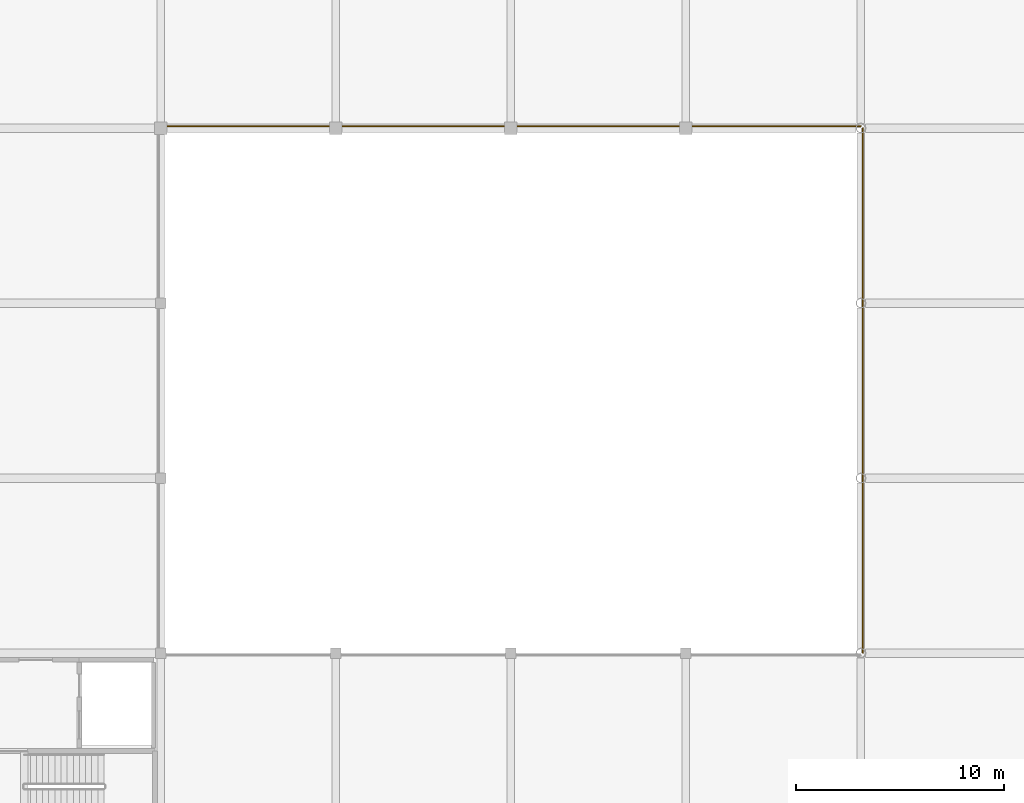
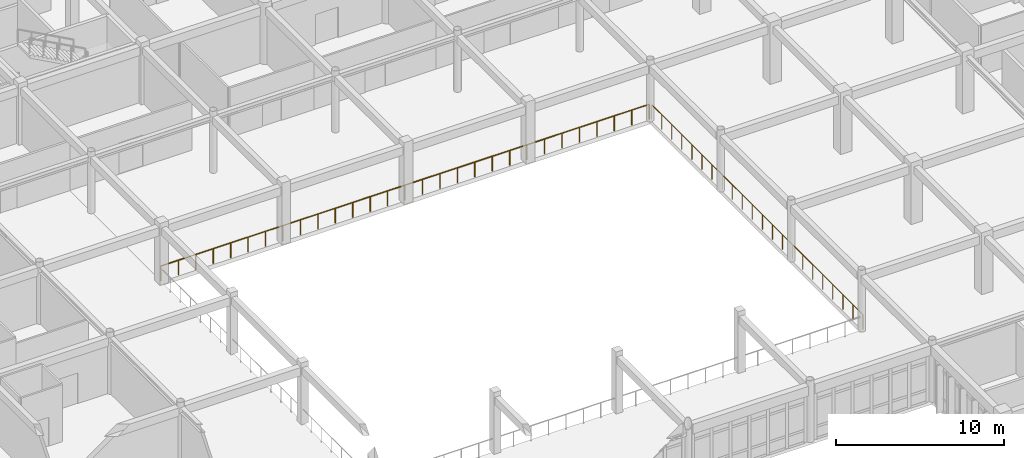
# One storey, part 129 of 144: 2 railings.
"""IFC4 building model written with IfcOpenShell, lengths in metres."""

from ifc_helpers import new_model, si_unit, direction, frame, origin, origin_2d, place, context, subcontext, project, spatial, circle, extrude, material, type_object, element, save


model = new_model("IFC4")

# Units and contexts
model_context = context("Model", 3, precision=1e-05, world=origin(), true_north=direction((0.0, 1.0)))
body_context = subcontext(model_context, "Body", "Model", "MODEL_VIEW")
ifc_project = project(units=[si_unit("LENGTHUNIT", "METRE"), si_unit("AREAUNIT", "SQUARE_METRE"), si_unit("VOLUMEUNIT", "CUBIC_METRE"), si_unit("PLANEANGLEUNIT", "RADIAN"), si_unit("MASSUNIT", "GRAM", prefix="KILO")], contexts=[model_context])

# Site, building, storey
site_placement = place(None, origin())
site = spatial("IfcSite", under=ifc_project, at=site_placement, CompositionType="ELEMENT")
building_placement = place(site_placement, origin())
building = spatial("IfcBuilding", under=site, at=building_placement, Name="Bramfleet General Hospital", CompositionType="ELEMENT")
storey_placement = place(building_placement, frame((0.0, 0.0, 4.800048828125)))
storey = spatial("IfcBuildingStorey", under=building, at=storey_placement, Name="L01", CompositionType="ELEMENT", Elevation=4.800048828125)

# Railings
ifc_material = material(Name="Stainless steel 1.4401 safety balustrade", Category="steel")
railing_type = type_object("IfcRailingType", Name="RAIL-EXT-GUARD", PredefinedType="GUARDRAIL", material=ifc_material)
railing_1_placement = place(storey_placement, frame((92.5, 25.2099609375, 0.0)))
element("IfcRailing", 1, at=railing_1_placement, inside=storey, type_object=railing_type, Name="L01 Safety Guard Rail 74", PredefinedType="GUARDRAIL", context=body_context, shape_type="SweptSolid", body=[
    extrude(circle(Radius=0.02392578125, at=origin_2d()), frame((0.0, 0.0, 1.076171875), z_axis=(0.0, 1.0, 0.0), x_axis=(-1.0, 0.0, 0.0)), (0.0, 0.0, 1.0), 25.179931640625),
    extrude(circle(Radius=0.02099609375, at=origin_2d()), origin(), (0.0, 0.0, 1.0), 1.052001953125),
    extrude(circle(Radius=0.02099609375, at=origin_2d()), frame((0.0, 1.198974609375, 0.0)), (0.0, 0.0, 1.0), 1.052001953125),
    extrude(circle(Radius=0.02099609375, at=origin_2d()), frame((0.0, 2.398193359375, 0.0)), (0.0, 0.0, 1.0), 1.052001953125),
    extrude(circle(Radius=0.02099609375, at=origin_2d()), frame((0.0, 3.59716796875, 0.0)), (0.0, 0.0, 1.0), 1.052001953125),
    extrude(circle(Radius=0.02099609375, at=origin_2d()), frame((0.0, 4.796142578125, 0.0)), (0.0, 0.0, 1.0), 1.052001953125),
    extrude(circle(Radius=0.02099609375, at=origin_2d()), frame((0.0, 5.9951171875, 0.0)), (0.0, 0.0, 1.0), 1.052001953125),
    extrude(circle(Radius=0.02099609375, at=origin_2d()), frame((0.0, 7.1943359375, 0.0)), (0.0, 0.0, 1.0), 1.052001953125),
    extrude(circle(Radius=0.02099609375, at=origin_2d()), frame((0.0, 8.393310546875, 0.0)), (0.0, 0.0, 1.0), 1.052001953125),
    extrude(circle(Radius=0.02099609375, at=origin_2d()), frame((0.0, 9.59228515625, 0.0)), (0.0, 0.0, 1.0), 1.052001953125),
    extrude(circle(Radius=0.02099609375, at=origin_2d()), frame((0.0, 10.79150390625, 0.0)), (0.0, 0.0, 1.0), 1.052001953125),
    extrude(circle(Radius=0.02099609375, at=origin_2d()), frame((0.0, 11.990478515625, 0.0)), (0.0, 0.0, 1.0), 1.052001953125),
    extrude(circle(Radius=0.02099609375, at=origin_2d()), frame((0.0, 13.189453125, 0.0)), (0.0, 0.0, 1.0), 1.052001953125),
    extrude(circle(Radius=0.02099609375, at=origin_2d()), frame((0.0, 14.388427734375, 0.0)), (0.0, 0.0, 1.0), 1.052001953125),
    extrude(circle(Radius=0.02099609375, at=origin_2d()), frame((0.0, 15.587646484375, 0.0)), (0.0, 0.0, 1.0), 1.052001953125),
    extrude(circle(Radius=0.02099609375, at=origin_2d()), frame((0.0, 16.78662109375, 0.0)), (0.0, 0.0, 1.0), 1.052001953125),
    extrude(circle(Radius=0.02099609375, at=origin_2d()), frame((0.0, 17.985595703125, 0.0)), (0.0, 0.0, 1.0), 1.052001953125),
    extrude(circle(Radius=0.02099609375, at=origin_2d()), frame((0.0, 19.184814453125, 0.0)), (0.0, 0.0, 1.0), 1.052001953125),
    extrude(circle(Radius=0.02099609375, at=origin_2d()), frame((0.0, 20.3837890625, 0.0)), (0.0, 0.0, 1.0), 1.052001953125),
    extrude(circle(Radius=0.02099609375, at=origin_2d()), frame((0.0, 21.582763671875, 0.0)), (0.0, 0.0, 1.0), 1.052001953125),
    extrude(circle(Radius=0.02099609375, at=origin_2d()), frame((0.0, 22.78173828125, 0.0)), (0.0, 0.0, 1.0), 1.052001953125),
    extrude(circle(Radius=0.02099609375, at=origin_2d()), frame((0.0, 23.98095703125, 0.0)), (0.0, 0.0, 1.0), 1.052001953125),
    extrude(circle(Radius=0.02099609375, at=origin_2d()), frame((0.0, 25.179931640625, 0.0)), (0.0, 0.0, 1.0), 1.052001953125),
])
railing_2_placement = place(storey_placement, frame((92.389892578125, 50.5, 0.0)))
element("IfcRailing", 2, at=railing_2_placement, inside=storey, type_object=railing_type, Name="L01 Safety Guard Rail 75", PredefinedType="GUARDRAIL", context=body_context, shape_type="SweptSolid", body=[
    extrude(circle(Radius=0.02392578125, at=origin_2d()), frame((0.0, 0.0, 1.076171875), z_axis=(-1.0, 0.0, 0.0), x_axis=(0.0, -1.0, 0.0)), (0.0, 0.0, 1.0), 33.579833984375),
    extrude(circle(Radius=0.02099609375, at=origin_2d()), origin(), (0.0, 0.0, 1.0), 1.052001953125),
    extrude(circle(Radius=0.02099609375, at=origin_2d()), frame((-1.19921875, 0.0, 0.0)), (0.0, 0.0, 1.0), 1.052001953125),
    extrude(circle(Radius=0.02099609375, at=origin_2d()), frame((-2.3984375, 0.0, 0.0)), (0.0, 0.0, 1.0), 1.052001953125),
    extrude(circle(Radius=0.02099609375, at=origin_2d()), frame((-3.597900390625, 0.0, 0.0)), (0.0, 0.0, 1.0), 1.052001953125),
    extrude(circle(Radius=0.02099609375, at=origin_2d()), frame((-4.797119140625, 0.0, 0.0)), (0.0, 0.0, 1.0), 1.052001953125),
    extrude(circle(Radius=0.02099609375, at=origin_2d()), frame((-5.996337890625, 0.0, 0.0)), (0.0, 0.0, 1.0), 1.052001953125),
    extrude(circle(Radius=0.02099609375, at=origin_2d()), frame((-7.19580078125, 0.0, 0.0)), (0.0, 0.0, 1.0), 1.052001953125),
    extrude(circle(Radius=0.02099609375, at=origin_2d()), frame((-8.39501953125, 0.0, 0.0)), (0.0, 0.0, 1.0), 1.052001953125),
    extrude(circle(Radius=0.02099609375, at=origin_2d()), frame((-9.59423828125, 0.0, 0.0)), (0.0, 0.0, 1.0), 1.052001953125),
    extrude(circle(Radius=0.02099609375, at=origin_2d()), frame((-10.79345703125, 0.0, 0.0)), (0.0, 0.0, 1.0), 1.052001953125),
    extrude(circle(Radius=0.02099609375, at=origin_2d()), frame((-11.99267578125, 0.0, 0.0)), (0.0, 0.0, 1.0), 1.052001953125),
    extrude(circle(Radius=0.02099609375, at=origin_2d()), frame((-13.192138671875, 0.0, 0.0)), (0.0, 0.0, 1.0), 1.052001953125),
    extrude(circle(Radius=0.02099609375, at=origin_2d()), frame((-14.391357421875, 0.0, 0.0)), (0.0, 0.0, 1.0), 1.052001953125),
    extrude(circle(Radius=0.02099609375, at=origin_2d()), frame((-15.590576171875, 0.0, 0.0)), (0.0, 0.0, 1.0), 1.052001953125),
    extrude(circle(Radius=0.02099609375, at=origin_2d()), frame((-16.7900390625, 0.0, 0.0)), (0.0, 0.0, 1.0), 1.052001953125),
    extrude(circle(Radius=0.02099609375, at=origin_2d()), frame((-17.9892578125, 0.0, 0.0)), (0.0, 0.0, 1.0), 1.052001953125),
    extrude(circle(Radius=0.02099609375, at=origin_2d()), frame((-19.1884765625, 0.0, 0.0)), (0.0, 0.0, 1.0), 1.052001953125),
    extrude(circle(Radius=0.02099609375, at=origin_2d()), frame((-20.3876953125, 0.0, 0.0)), (0.0, 0.0, 1.0), 1.052001953125),
    extrude(circle(Radius=0.02099609375, at=origin_2d()), frame((-21.5869140625, 0.0, 0.0)), (0.0, 0.0, 1.0), 1.052001953125),
    extrude(circle(Radius=0.02099609375, at=origin_2d()), frame((-22.786376953125, 0.0, 0.0)), (0.0, 0.0, 1.0), 1.052001953125),
    extrude(circle(Radius=0.02099609375, at=origin_2d()), frame((-23.985595703125, 0.0, 0.0)), (0.0, 0.0, 1.0), 1.052001953125),
    extrude(circle(Radius=0.02099609375, at=origin_2d()), frame((-25.184814453125, 0.0, 0.0)), (0.0, 0.0, 1.0), 1.052001953125),
    extrude(circle(Radius=0.02099609375, at=origin_2d()), frame((-26.38427734375, 0.0, 0.0)), (0.0, 0.0, 1.0), 1.052001953125),
    extrude(circle(Radius=0.02099609375, at=origin_2d()), frame((-27.58349609375, 0.0, 0.0)), (0.0, 0.0, 1.0), 1.052001953125),
    extrude(circle(Radius=0.02099609375, at=origin_2d()), frame((-28.78271484375, 0.0, 0.0)), (0.0, 0.0, 1.0), 1.052001953125),
    extrude(circle(Radius=0.02099609375, at=origin_2d()), frame((-29.98193359375, 0.0, 0.0)), (0.0, 0.0, 1.0), 1.052001953125),
    extrude(circle(Radius=0.02099609375, at=origin_2d()), frame((-31.18115234375, 0.0, 0.0)), (0.0, 0.0, 1.0), 1.052001953125),
    extrude(circle(Radius=0.02099609375, at=origin_2d()), frame((-32.380615234375, 0.0, 0.0)), (0.0, 0.0, 1.0), 1.052001953125),
    extrude(circle(Radius=0.02099609375, at=origin_2d()), frame((-33.579833984375, 0.0, 0.0)), (0.0, 0.0, 1.0), 1.052001953125),
])

save(model, "model.ifc")
